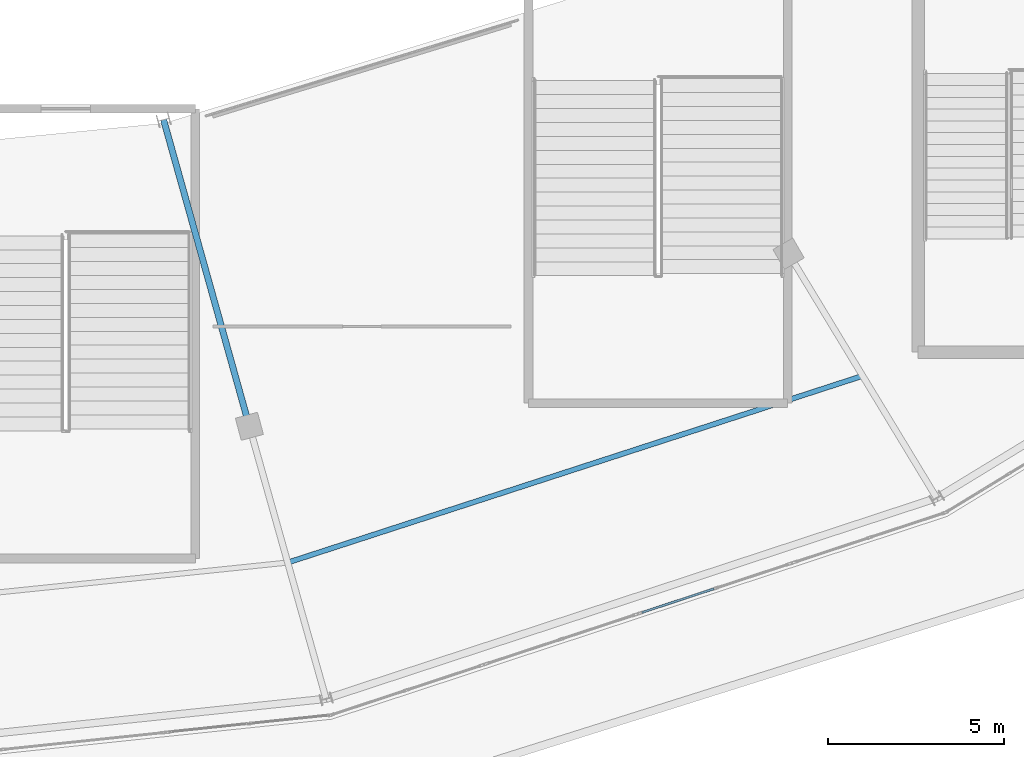
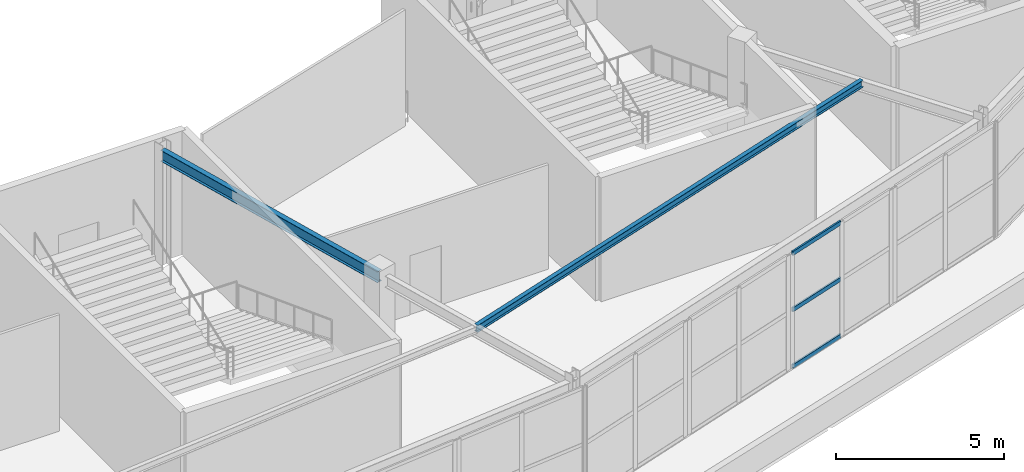
# One storey, part 45 of 126: 3 members, 2 beams, 1 element without a shape of its own.
"""IFC4 building model written with IfcOpenShell, lengths in metres."""

from ifc_helpers import new_model, si_unit, direction, frame, origin, origin_2d, place, context, subcontext, project, spatial, hollow_rectangle, i_section, extrude, material, layer, layer_set, material_profile, profile_set, type_object, element, aggregate, save


model = new_model("IFC4")

# Units and contexts
model_context = context("Model", 3, precision=1e-05, world=origin(), true_north=direction((0.0, 1.0)))
body_context = subcontext(model_context, "Body", "Model", "MODEL_VIEW")
ifc_project = project(units=[si_unit("LENGTHUNIT", "METRE"), si_unit("AREAUNIT", "SQUARE_METRE"), si_unit("VOLUMEUNIT", "CUBIC_METRE"), si_unit("PLANEANGLEUNIT", "RADIAN"), si_unit("MASSUNIT", "GRAM", prefix="KILO")], contexts=[model_context])

# Site, building, storey
site_placement = place(None, origin())
site = spatial("IfcSite", under=ifc_project, at=site_placement, CompositionType="ELEMENT")
building_placement = place(site_placement, origin())
building = spatial("IfcBuilding", under=site, at=building_placement, Name="Kalgoora Escarpment Arena", CompositionType="ELEMENT")
storey_placement = place(building_placement, frame((0.0, 0.0, 18.89990234375)))
storey = spatial("IfcBuildingStorey", under=building, at=storey_placement, Name="L04", CompositionType="ELEMENT", Elevation=18.89990234375)

# Beams
ifc_material_1 = material(Name="Structural steel AS/NZS 3679 (300 MPa)", Category="steel")
ifc_material_profile_1 = material_profile(ifc_material_1, i_section(OverallWidth=0.14599609375, OverallDepth=0.256103515625, WebThickness=0.00634765625, FlangeThickness=0.010986328125, at=origin_2d()))
ifc_profile_set_1 = profile_set([ifc_material_profile_1], Name="Structural steel AS/NZS 3679 (300 MPa)")
beam_type_1 = type_object("IfcBeamType", Name="BM-BEAM-250UB37.3", PredefinedType="BEAM", material=ifc_profile_set_1)
beam_1_placement = place(storey_placement, frame((109.896240234375, 12.805908203125, 4.10205078125), z_axis=(0.951103123122, 0.308873516489, 0.0), x_axis=(-0.308873516489, 0.951103123122, 0.0)))
element("IfcBeam", 1, at=beam_1_placement, inside=storey, type_object=beam_type_1, Name="L04 Concourse secondary ring beam 250UB37.3", PredefinedType="BEAM", context=body_context, shape_type="SweptSolid", body=[
    extrude(i_section(OverallWidth=0.14599609375, OverallDepth=0.256103515625, WebThickness=0.00634765625, FlangeThickness=0.010986328125, at=origin_2d()), origin(), (0.0, 0.0, 1.0), 17.141845703125),
])
ifc_material_2 = material(Name="Structural steel AS/NZS 3679 (300 MPa)", Category="steel")
ifc_material_profile_2 = material_profile(ifc_material_2, i_section(OverallWidth=0.177978515625, OverallDepth=0.406005859375, WebThickness=0.0078125, FlangeThickness=0.0126953125, at=origin_2d()))
ifc_profile_set_2 = profile_set([ifc_material_profile_2], Name="Structural steel AS/NZS 3679 (300 MPa)")
beam_type_2 = type_object("IfcBeamType", Name="BM-GIRDER-410UB59.7", PredefinedType="USERDEFINED", material=ifc_profile_set_2)
beam_2_placement = place(storey_placement, frame((106.376220703125, 25.363037109375, 4.027099609375), z_axis=(0.269498512386, -0.963000805722, 0.0), x_axis=(0.963000805722, 0.269498512386, 0.0)))
element("IfcBeam", 2, at=beam_2_placement, inside=storey, type_object=beam_type_2, Name="L04 Radial concourse girder 410UB59.7", ObjectType="GIRDER", PredefinedType="USERDEFINED", context=body_context, shape_type="SweptSolid", body=[
    extrude(i_section(OverallWidth=0.177978515625, OverallDepth=0.406005859375, WebThickness=0.0078125, FlangeThickness=0.0126953125, at=origin_2d()), origin(), (0.0, 0.0, 1.0), 9.02734375),
])

# Curtain wall, members
ifc_material_3 = material(Name=" Champagne anodised aluminium & double-glazed low-E", Category="aluminium")
ifc_layer = layer(ifc_material_3, 0.162109375)
ifc_layer_set = layer_set([ifc_layer], Name="CW-UNIT-08")
curtain_wall_type = type_object("IfcCurtainWallType", Name="CW-UNIT-08", PredefinedType="NOTDEFINED", material=ifc_layer_set)
curtain_wall_placement = place(storey_placement, origin())
curtain_wall = element("IfcCurtainWall", 3, at=curtain_wall_placement, inside=storey, type_object=curtain_wall_type, Name="L04 unitised facade curtain wall 107", PredefinedType="NOTDEFINED")
ifc_material_4 = material(Name="Anodised aluminium 6063-T6", Category="aluminium")
ifc_material_profile_3 = material_profile(ifc_material_4, hollow_rectangle(XDim=0.06005859375, YDim=0.14990234375, WallThickness=0.00341796875, at=origin_2d()))
ifc_profile_set_3 = profile_set([ifc_material_profile_3], Name="Anodised aluminium 6063-T6")
member_type = type_object("IfcMemberType", Name="MEM-CW-TRAN-150", PredefinedType="USERDEFINED", material=ifc_profile_set_3)
member_1_placement = place(storey_placement, frame((121.983642578125, 12.06298828125, 0.050048828125), z_axis=(-0.949733650084, -0.313059090108, 0.0), x_axis=(0.313059090108, -0.949733650084, 0.0)))
member_1 = element("IfcMember", 4, at=member_1_placement, type_object=member_type, Name="CW-08 transom 2.1", ObjectType="TRANSOM", PredefinedType="USERDEFINED", context=body_context, shape_type="SweptSolid", body=[
    extrude(hollow_rectangle(XDim=0.06005859375, YDim=0.14990234375, WallThickness=0.00341796875, at=origin_2d()), origin(), (0.0, 0.0, 1.0), 2.15087890625),
])
member_2_placement = place(storey_placement, frame((121.983642578125, 12.06298828125, 2.114990234375), z_axis=(-0.949733650084, -0.313059090108, 0.0), x_axis=(0.313059090108, -0.949733650084, 0.0)))
member_2 = element("IfcMember", 5, at=member_2_placement, type_object=member_type, Name="CW-08 transom 2.2", ObjectType="TRANSOM", PredefinedType="USERDEFINED", context=body_context, shape_type="SweptSolid", body=[
    extrude(hollow_rectangle(XDim=0.06005859375, YDim=0.14990234375, WallThickness=0.00341796875, at=origin_2d()), origin(), (0.0, 0.0, 1.0), 2.15087890625),
])
member_3_placement = place(storey_placement, frame((121.983642578125, 12.06298828125, 4.16015625), z_axis=(-0.949733650084, -0.313059090108, 0.0), x_axis=(0.313059090108, -0.949733650084, 0.0)))
member_3 = element("IfcMember", 6, at=member_3_placement, type_object=member_type, Name="CW-08 transom 2.3", ObjectType="TRANSOM", PredefinedType="USERDEFINED", context=body_context, shape_type="SweptSolid", body=[
    extrude(hollow_rectangle(XDim=0.06005859375, YDim=0.14990234375, WallThickness=0.00341796875, at=origin_2d()), origin(), (0.0, 0.0, 1.0), 2.15087890625),
])
aggregate(curtain_wall, [member_1, member_2, member_3])

save(model, "model.ifc")
